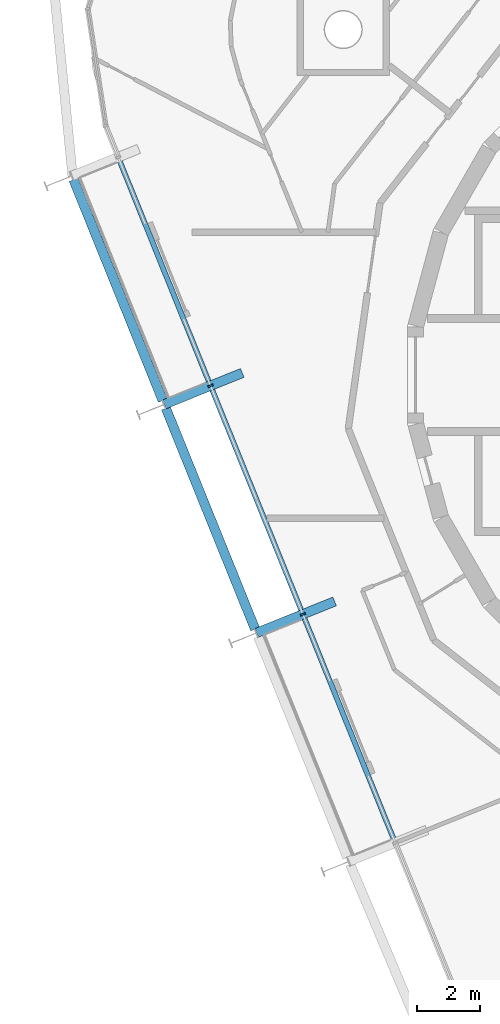
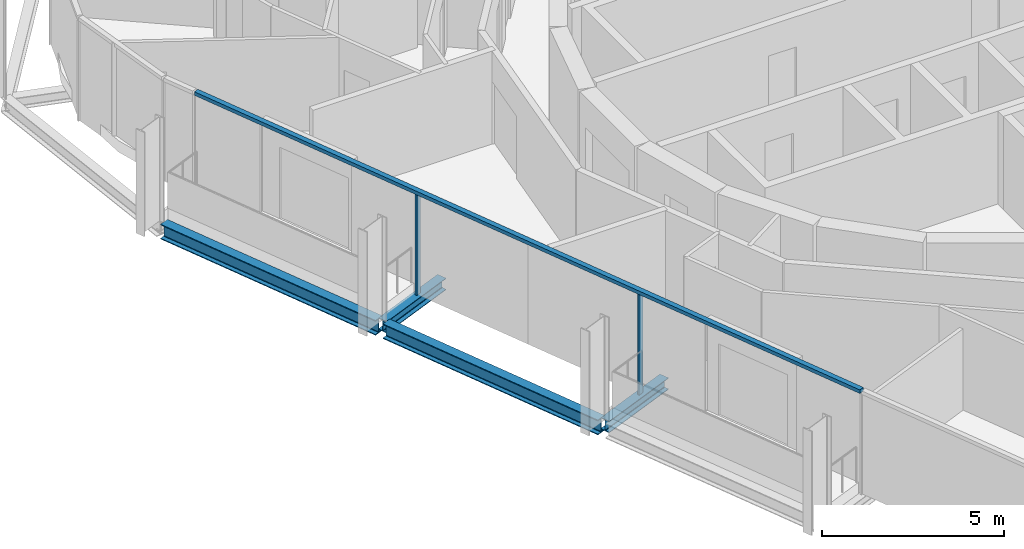
# One storey, part 3 of 15: 4 beams, 3 members, 1 element without a shape of its own.
"""IFC4 building model written with IfcOpenShell, lengths in metres."""

from ifc_helpers import new_model, si_unit, direction, frame, origin, origin_2d, place, context, subcontext, project, spatial, rectangle, i_section, extrude, material, layer, layer_set, material_profile, profile_set, type_object, element, aggregate, save


model = new_model("IFC4")

# Units and contexts
model_context = context("Model", 3, precision=1e-05, world=origin(), true_north=direction((0.0, 1.0)))
body_context = subcontext(model_context, "Body", "Model", "MODEL_VIEW")
ifc_project = project(units=[si_unit("LENGTHUNIT", "METRE"), si_unit("AREAUNIT", "SQUARE_METRE"), si_unit("VOLUMEUNIT", "CUBIC_METRE"), si_unit("PLANEANGLEUNIT", "RADIAN"), si_unit("MASSUNIT", "GRAM", prefix="KILO")], contexts=[model_context])

# Site, building, storey
site_placement = place(None, origin())
site = spatial("IfcSite", under=ifc_project, at=site_placement, CompositionType="ELEMENT")
building_placement = place(site_placement, origin())
building = spatial("IfcBuilding", under=site, at=building_placement, Name="Spindle Arch Residences", CompositionType="ELEMENT")
storey_placement = place(building_placement, frame((0.0, 0.0, 350.5)))
storey = spatial("IfcBuildingStorey", under=building, at=storey_placement, Name="L90", CompositionType="ELEMENT", Elevation=350.5)

# Curtain wall, members
ifc_material_1 = material(Name="Aluminium bronze unitised frame with tinted glass", Category="aluminium")
ifc_layer = layer(ifc_material_1, 0.159912109375)
ifc_layer_set = layer_set([ifc_layer], Name="CW-C typical residential unitised wall")
curtain_wall_type = type_object("IfcCurtainWallType", Name="CW-C typical residential unitised wall", PredefinedType="NOTDEFINED", material=ifc_layer_set)
curtain_wall_placement = place(storey_placement, origin())
curtain_wall = element("IfcCurtainWall", 1, at=curtain_wall_placement, inside=storey, type_object=curtain_wall_type, Name="CW-C L90 run 4", PredefinedType="NOTDEFINED")
ifc_material_2 = material(Name="Aluminium bronze anodised mullion", Category="aluminium")
ifc_material_profile_1 = material_profile(ifc_material_2, rectangle(XDim=0.159912109375, YDim=0.06005859375, at=origin_2d()), Name="MU 60x160")
ifc_profile_set_1 = profile_set([ifc_material_profile_1], Name="Aluminium bronze anodised mullion")
member_type_1 = type_object("IfcMemberType", Name="Bronze mullion 60x160", PredefinedType="MULLION", material=ifc_profile_set_1)
member_1_placement = place(storey_placement, frame((-18.110595703125, -0.337646484375, -0.3798828125), z_axis=(0.0, 0.0, 1.0), x_axis=(0.927183854567, 0.374606593416, 0.0)))
member_1 = element("IfcMember", 2, at=member_1_placement, type_object=member_type_1, Name="CW-C mullion 12", PredefinedType="MULLION", context=body_context, shape_type="SweptSolid", body=[
    extrude(rectangle(XDim=0.159912109375, YDim=0.06005859375, at=origin_2d()), origin(), (0.0, 0.0, 1.0), 3.3798828125),
])
member_2_placement = place(storey_placement, frame((-15.20166015625, -7.537841796875, -0.3798828125), z_axis=(0.0, 0.0, 1.0), x_axis=(0.927183854567, 0.374606593416, 0.0)))
member_2 = element("IfcMember", 3, at=member_2_placement, type_object=member_type_1, Name="CW-C mullion 13", PredefinedType="MULLION", context=body_context, shape_type="SweptSolid", body=[
    extrude(rectangle(XDim=0.159912109375, YDim=0.06005859375, at=origin_2d()), origin(), (0.0, 0.0, 1.0), 3.3798828125),
])
ifc_material_3 = material(Name="Aluminium bronze anodised transom", Category="aluminium")
ifc_material_profile_2 = material_profile(ifc_material_3, rectangle(XDim=0.159912109375, YDim=0.1201171875, at=origin_2d()), Name="TR 120x160")
ifc_profile_set_2 = profile_set([ifc_material_profile_2], Name="Aluminium bronze anodised transom")
member_type_2 = type_object("IfcMemberType", Name="Bronze transom 120x160", PredefinedType="USERDEFINED", material=ifc_profile_set_2)
member_3_placement = place(storey_placement, frame((-21.008544921875, 6.834716796875, 3.06005859375), z_axis=(0.374602019708, -0.927185702452, 0.0), x_axis=(0.927185702452, 0.374602019708, 0.0)))
member_3 = element("IfcMember", 4, at=member_3_placement, type_object=member_type_2, Name="CW-C transom 00", ObjectType="TRANSOM", PredefinedType="USERDEFINED", context=body_context, shape_type="SweptSolid", body=[
    extrude(rectangle(XDim=0.159912109375, YDim=0.1201171875, at=origin_2d()), origin(), (0.0, 0.0, 1.0), 23.23681640625),
])
aggregate(curtain_wall, [member_3, member_1, member_2])

# Beams
ifc_material_4 = material(Name="Steel S460ML, intumescent coating R 120", Category="steel")
ifc_material_profile_3 = material_profile(ifc_material_4, i_section(OverallWidth=0.300048828125, OverallDepth=0.5, WebThickness=0.014404296875, FlangeThickness=0.028076171875, FilletRadius=0.027099609375, at=origin_2d()), Name="HEB 500")
ifc_profile_set_3 = profile_set([ifc_material_profile_3], Name="Steel S460ML, intumescent coating R 120")
beam_type_1 = type_object("IfcBeamType", Name="Exoskeleton edge beam HEB 500", PredefinedType="BEAM", material=ifc_profile_set_3)
beam_1_placement = place(storey_placement, frame((-22.4267578125, 6.15380859375, -0.6298828125), z_axis=(0.374613092792, -0.927181228622, 0.0), x_axis=(0.927181228622, 0.374613092792, 0.0)))
element("IfcBeam", 5, at=beam_1_placement, inside=storey, type_object=beam_type_1, Name="Exoskeleton edge beam 12", PredefinedType="BEAM", context=body_context, shape_type="SweptSolid", body=[
    extrude(i_section(OverallWidth=0.300048828125, OverallDepth=0.5, WebThickness=0.014404296875, FlangeThickness=0.028076171875, FilletRadius=0.027099609375, at=origin_2d()), origin(), (0.0, 0.0, 1.0), 7.505859375),
])
beam_2_placement = place(storey_placement, frame((-19.517578125, -1.04638671875, -0.6298828125), z_axis=(0.374596427458, -0.927187961816, 0.0), x_axis=(0.927187961816, 0.374596427458, 0.0)))
element("IfcBeam", 6, at=beam_2_placement, inside=storey, type_object=beam_type_1, Name="Exoskeleton edge beam 13", PredefinedType="BEAM", context=body_context, shape_type="SweptSolid", body=[
    extrude(i_section(OverallWidth=0.300048828125, OverallDepth=0.5, WebThickness=0.014404296875, FlangeThickness=0.028076171875, FilletRadius=0.027099609375, at=origin_2d()), origin(), (0.0, 0.0, 1.0), 7.50537109375),
])
ifc_material_5 = material(Name="Steel S460ML, intumescent coating R 120", Category="steel")
ifc_material_profile_4 = material_profile(ifc_material_5, i_section(OverallWidth=0.300048828125, OverallDepth=0.389892578125, WebThickness=0.010986328125, FlangeThickness=0.01904296875, FilletRadius=0.027099609375, at=origin_2d()), Name="HEA 400")
ifc_profile_set_4 = profile_set([ifc_material_profile_4], Name="Steel S460ML, intumescent coating R 120")
beam_type_2 = type_object("IfcBeamType", Name="Floor outrigger HEA 400", PredefinedType="BEAM", material=ifc_profile_set_4)
beam_3_placement = place(storey_placement, frame((-19.56640625, -0.92578125, -0.574951171875), z_axis=(0.927187692393, 0.374597094323, 0.0), x_axis=(-0.374597094323, 0.927187692393, 0.0)))
element("IfcBeam", 7, at=beam_3_placement, inside=storey, type_object=beam_type_2, Name="Floor outrigger 13", PredefinedType="BEAM", context=body_context, shape_type="SweptSolid", body=[
    extrude(i_section(OverallWidth=0.300048828125, OverallDepth=0.389892578125, WebThickness=0.010986328125, FlangeThickness=0.01904296875, FilletRadius=0.027099609375, at=origin_2d()), origin(), (0.0, 0.0, 1.0), 2.64990234375),
])
beam_4_placement = place(storey_placement, frame((-16.657470703125, -8.1259765625, -0.574951171875), z_axis=(0.927200618573, 0.374565098372, 0.0), x_axis=(-0.374565098372, 0.927200618573, 0.0)))
element("IfcBeam", 8, at=beam_4_placement, inside=storey, type_object=beam_type_2, Name="Floor outrigger 14", PredefinedType="BEAM", context=body_context, shape_type="SweptSolid", body=[
    extrude(i_section(OverallWidth=0.300048828125, OverallDepth=0.389892578125, WebThickness=0.010986328125, FlangeThickness=0.01904296875, FilletRadius=0.027099609375, at=origin_2d()), origin(), (0.0, 0.0, 1.0), 2.650146484375),
])

save(model, "model.ifc")
